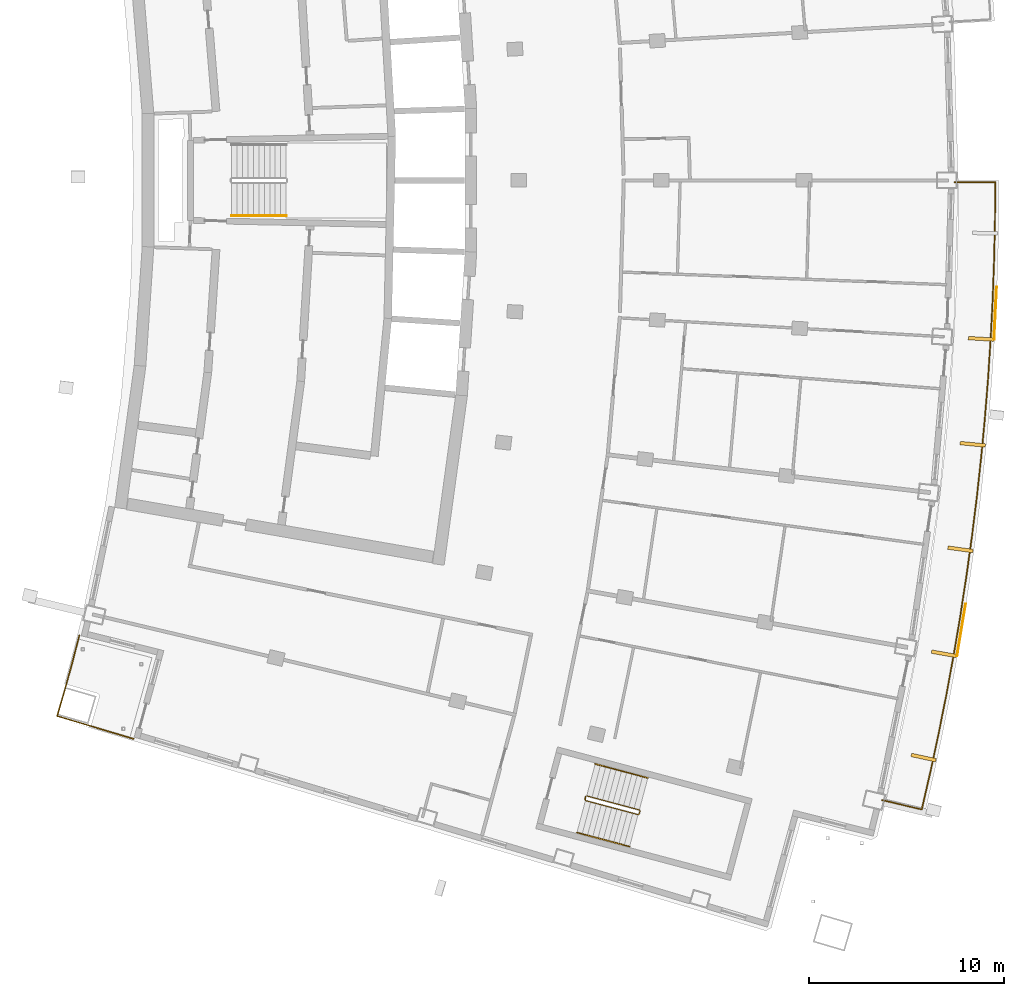
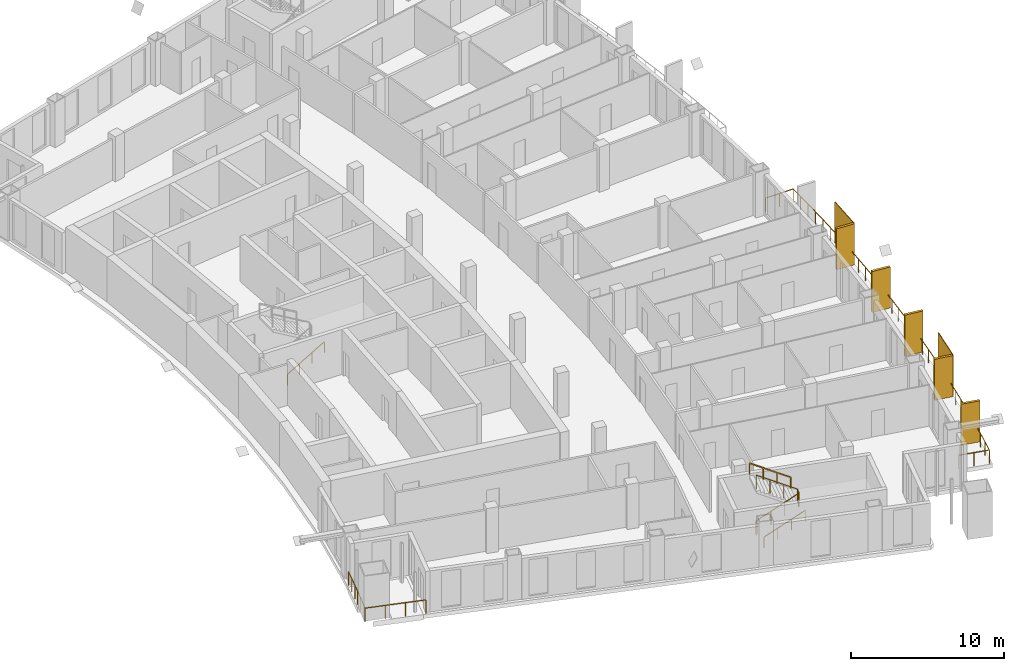
# One storey, part 16 of 17: 7 shading devices, 6 railings.
"""IFC4 building model written with IfcOpenShell, lengths in metres."""

from ifc_helpers import new_model, si_unit, direction, frame, origin, origin_with_axes, origin_2d, place, context, subcontext, project, spatial, rectangle, extrude, material, layer, layer_set, type_object, element, save


model = new_model("IFC4")

# Units and contexts
model_context = context("Model", 3, precision=1e-05, world=origin(), true_north=direction((0.0, 1.0)))
body_context = subcontext(model_context, "Body", "Model", "MODEL_VIEW")
ifc_project = project(units=[si_unit("LENGTHUNIT", "METRE"), si_unit("AREAUNIT", "SQUARE_METRE"), si_unit("VOLUMEUNIT", "CUBIC_METRE"), si_unit("PLANEANGLEUNIT", "RADIAN"), si_unit("MASSUNIT", "GRAM", prefix="KILO")], contexts=[model_context])

# Site, building, storey
site_placement = place(None, origin())
site = spatial("IfcSite", under=ifc_project, at=site_placement, CompositionType="ELEMENT")
building_placement = place(site_placement, origin())
building = spatial("IfcBuilding", under=site, at=building_placement, Name="Alderwake Tower", CompositionType="ELEMENT")
storey_placement = place(building_placement, frame((0.0, 0.0, 218.0)))
storey = spatial("IfcBuildingStorey", under=building, at=storey_placement, Name="L54", CompositionType="ELEMENT", Elevation=218.0)

# Railings
ifc_material_1 = material(Name="Stainless steel 316 rail and posts", Category="steel")
railing_type_1 = type_object("IfcRailingType", Name="Balcony guard 1100", PredefinedType="GUARDRAIL", material=ifc_material_1)
railing_1_placement = place(storey_placement, frame((54.477783203125, 29.14111328125, 0.0)))
element("IfcRailing", 1, at=railing_1_placement, inside=storey, type_object=railing_type_1, Name="Guard BF03", PredefinedType="GUARDRAIL", context=body_context, shape_type="SweptSolid", body=[
    extrude(rectangle(XDim=0.048095703125, YDim=0.048095703125, at=origin_2d()), frame((0.0, 0.0, 1.076171875), z_axis=(0.973057638874, -0.230561990427, 0.0), x_axis=(0.230561990427, 0.973057638874, 0.0)), (0.0, 0.0, 1.0), 2.099853515625),
    extrude(rectangle(XDim=0.048095703125, YDim=0.048095703125, at=origin_2d()), frame((2.043212890625, -0.484130859375, 1.076171875), z_axis=(0.22380572243, 0.97463377666, 0.0), x_axis=(-0.97463377666, 0.22380572243, 0.0)), (0.0, 0.0, 1.0), 1.946044921875),
    extrude(rectangle(XDim=0.048095703125, YDim=0.048095703125, at=origin_2d()), frame((2.478759765625, 1.41259765625, 1.076171875), z_axis=(0.209912112269, 0.977720259135, 0.0), x_axis=(-0.977720259135, 0.209912112269, 0.0)), (0.0, 0.0, 1.0), 2.0458984375),
    extrude(rectangle(XDim=0.048095703125, YDim=0.048095703125, at=origin_2d()), frame((2.908203125, 3.412841796875, 1.076171875), z_axis=(0.195565396752, 0.98069066254, 0.0), x_axis=(-0.98069066254, 0.195565396752, 0.0)), (0.0, 0.0, 1.0), 2.046142578125),
    extrude(rectangle(XDim=0.048095703125, YDim=0.048095703125, at=origin_2d()), frame((3.308349609375, 5.41943359375, 1.076171875), z_axis=(0.181268734219, 0.983433600196, 0.0), x_axis=(-0.983433600196, 0.181268734219, 0.0)), (0.0, 0.0, 1.0), 2.0458984375),
    extrude(rectangle(XDim=0.048095703125, YDim=0.048095703125, at=origin_2d()), frame((3.67919921875, 7.431396484375, 1.076171875), z_axis=(0.167049252433, 0.985948552036, 0.0), x_axis=(-0.985948552036, 0.167049252433, 0.0)), (0.0, 0.0, 1.0), 2.046142578125),
    extrude(rectangle(XDim=0.048095703125, YDim=0.048095703125, at=origin_2d()), frame((4.02099609375, 9.44873046875, 1.076171875), z_axis=(0.152487539839, 0.988305393183, 0.0), x_axis=(-0.988305393183, 0.152487539839, 0.0)), (0.0, 0.0, 1.0), 2.046142578125),
    extrude(rectangle(XDim=0.048095703125, YDim=0.048095703125, at=origin_2d()), frame((4.3330078125, 11.470947265625, 1.076171875), z_axis=(0.138062649027, 0.990423497774, 0.0), x_axis=(-0.990423497774, 0.138062649027, 0.0)), (0.0, 0.0, 1.0), 2.0458984375),
    extrude(rectangle(XDim=0.048095703125, YDim=0.048095703125, at=origin_2d()), frame((4.615478515625, 13.497314453125, 1.076171875), z_axis=(0.123623502309, 0.992329194208, 0.0), x_axis=(-0.992329194208, 0.123623502309, 0.0)), (0.0, 0.0, 1.0), 2.0458984375),
    extrude(rectangle(XDim=0.048095703125, YDim=0.048095703125, at=origin_2d()), frame((4.868408203125, 15.527587890625, 1.076171875), z_axis=(0.109174253205, 0.994022626723, 0.0), x_axis=(-0.994022626723, 0.109174253205, 0.0)), (0.0, 0.0, 1.0), 2.046142578125),
    extrude(rectangle(XDim=0.048095703125, YDim=0.048095703125, at=origin_2d()), frame((5.091796875, 17.5615234375, 1.076171875), z_axis=(0.094623268612, 0.995513152619, 0.0), x_axis=(-0.995513152619, 0.094623268612, 0.0)), (0.0, 0.0, 1.0), 2.046142578125),
    extrude(rectangle(XDim=0.048095703125, YDim=0.048095703125, at=origin_2d()), frame((5.285400390625, 19.598388671875, 1.076171875), z_axis=(0.080191048977, 0.996779512061, 0.0), x_axis=(-0.996779512061, 0.080191048977, 0.0)), (0.0, 0.0, 1.0), 2.0458984375),
    extrude(rectangle(XDim=0.048095703125, YDim=0.048095703125, at=origin_2d()), frame((5.449462890625, 21.6376953125, 1.076171875), z_axis=(0.065505305432, 0.997852221003, 0.0), x_axis=(-0.997852221003, 0.065505305432, 0.0)), (0.0, 0.0, 1.0), 2.046142578125),
    extrude(rectangle(XDim=0.048095703125, YDim=0.048095703125, at=origin_2d()), frame((5.58349609375, 23.679443359375, 1.076171875), z_axis=(0.051074369334, 0.998694852694, 0.0), x_axis=(-0.998694852694, 0.051074369334, 0.0)), (0.0, 0.0, 1.0), 2.0458984375),
    extrude(rectangle(XDim=0.048095703125, YDim=0.048095703125, at=origin_2d()), frame((5.68798828125, 25.72265625, 1.076171875), z_axis=(0.036393784558, 0.999337526787, 0.0), x_axis=(-0.999337526787, 0.036393784558, 0.0)), (0.0, 0.0, 1.0), 2.046142578125),
    extrude(rectangle(XDim=0.048095703125, YDim=0.048095703125, at=origin_2d()), frame((5.762451171875, 27.767333984375, 1.076171875), z_axis=(0.021954368204, 0.999758973812, 0.0), x_axis=(-0.999758973812, 0.021954368204, 0.0)), (0.0, 0.0, 1.0), 2.046142578125),
    extrude(rectangle(XDim=0.048095703125, YDim=0.048095703125, at=origin_2d()), frame((5.807373046875, 29.81298828125, 1.076171875), z_axis=(0.007653477216, 0.999970711714, 0.0), x_axis=(-0.999970711714, 0.007653477216, 0.0)), (0.0, 0.0, 1.0), 1.94580078125),
    extrude(rectangle(XDim=0.048095703125, YDim=0.048095703125, at=origin_2d()), frame((5.822265625, 31.7587890625, 1.076171875), z_axis=(-0.999999668894, 0.000813763971, 0.0), x_axis=(-0.000813763971, -0.999999668894, 0.0)), (0.0, 0.0, 1.0), 2.10009765625),
    extrude(rectangle(XDim=0.0419921875, YDim=0.0419921875, at=origin_2d()), frame((0.0, 0.0, 0.0), z_axis=(0.0, 0.0, 1.0), x_axis=(0.973057638874, -0.230561990427, 0.0)), (0.0, 0.0, 1.0), 1.052001953125),
    extrude(rectangle(XDim=0.0419921875, YDim=0.0419921875, at=origin_2d()), frame((1.021484375, -0.2421875, 0.0), z_axis=(0.0, 0.0, 1.0), x_axis=(0.973057638874, -0.230561990427, 0.0)), (0.0, 0.0, 1.0), 1.052001953125),
    extrude(rectangle(XDim=0.0419921875, YDim=0.0419921875, at=origin_2d()), frame((2.043212890625, -0.484130859375, 0.0), z_axis=(0.0, 0.0, 1.0), x_axis=(0.22380572243, 0.97463377666, 0.0)), (0.0, 0.0, 1.0), 1.052001953125),
    extrude(rectangle(XDim=0.0419921875, YDim=0.0419921875, at=origin_2d()), frame((2.260986328125, 0.46435546875, 0.0), z_axis=(0.0, 0.0, 1.0), x_axis=(0.22380572243, 0.97463377666, 0.0)), (0.0, 0.0, 1.0), 1.052001953125),
    extrude(rectangle(XDim=0.0419921875, YDim=0.0419921875, at=origin_2d()), frame((2.478759765625, 1.41259765625, 0.0), z_axis=(0.0, 0.0, 1.0), x_axis=(0.209912112269, 0.977720259135, 0.0)), (0.0, 0.0, 1.0), 1.052001953125),
    extrude(rectangle(XDim=0.0419921875, YDim=0.0419921875, at=origin_2d()), frame((2.693359375, 2.41259765625, 0.0), z_axis=(0.0, 0.0, 1.0), x_axis=(0.209912112269, 0.977720259135, 0.0)), (0.0, 0.0, 1.0), 1.052001953125),
    extrude(rectangle(XDim=0.0419921875, YDim=0.0419921875, at=origin_2d()), frame((2.908203125, 3.412841796875, 0.0), z_axis=(0.0, 0.0, 1.0), x_axis=(0.195565396752, 0.98069066254, 0.0)), (0.0, 0.0, 1.0), 1.052001953125),
    extrude(rectangle(XDim=0.0419921875, YDim=0.0419921875, at=origin_2d()), frame((3.1083984375, 4.416015625, 0.0), z_axis=(0.0, 0.0, 1.0), x_axis=(0.195565396752, 0.98069066254, 0.0)), (0.0, 0.0, 1.0), 1.052001953125),
    extrude(rectangle(XDim=0.0419921875, YDim=0.0419921875, at=origin_2d()), frame((3.308349609375, 5.41943359375, 0.0), z_axis=(0.0, 0.0, 1.0), x_axis=(0.181268734219, 0.983433600196, 0.0)), (0.0, 0.0, 1.0), 1.052001953125),
    extrude(rectangle(XDim=0.0419921875, YDim=0.0419921875, at=origin_2d()), frame((3.49365234375, 6.42529296875, 0.0), z_axis=(0.0, 0.0, 1.0), x_axis=(0.181268734219, 0.983433600196, 0.0)), (0.0, 0.0, 1.0), 1.052001953125),
    extrude(rectangle(XDim=0.0419921875, YDim=0.0419921875, at=origin_2d()), frame((3.67919921875, 7.431396484375, 0.0), z_axis=(0.0, 0.0, 1.0), x_axis=(0.167049252433, 0.985948552036, 0.0)), (0.0, 0.0, 1.0), 1.052001953125),
    extrude(rectangle(XDim=0.0419921875, YDim=0.0419921875, at=origin_2d()), frame((3.85009765625, 8.43994140625, 0.0), z_axis=(0.0, 0.0, 1.0), x_axis=(0.167049252433, 0.985948552036, 0.0)), (0.0, 0.0, 1.0), 1.052001953125),
    extrude(rectangle(XDim=0.0419921875, YDim=0.0419921875, at=origin_2d()), frame((4.02099609375, 9.44873046875, 0.0), z_axis=(0.0, 0.0, 1.0), x_axis=(0.152487539839, 0.988305393183, 0.0)), (0.0, 0.0, 1.0), 1.052001953125),
    extrude(rectangle(XDim=0.0419921875, YDim=0.0419921875, at=origin_2d()), frame((4.177001953125, 10.4599609375, 0.0), z_axis=(0.0, 0.0, 1.0), x_axis=(0.152487539839, 0.988305393183, 0.0)), (0.0, 0.0, 1.0), 1.052001953125),
    extrude(rectangle(XDim=0.0419921875, YDim=0.0419921875, at=origin_2d()), frame((4.3330078125, 11.470947265625, 0.0), z_axis=(0.0, 0.0, 1.0), x_axis=(0.138062649027, 0.990423497774, 0.0)), (0.0, 0.0, 1.0), 1.052001953125),
    extrude(rectangle(XDim=0.0419921875, YDim=0.0419921875, at=origin_2d()), frame((4.47412109375, 12.484130859375, 0.0), z_axis=(0.0, 0.0, 1.0), x_axis=(0.138062649027, 0.990423497774, 0.0)), (0.0, 0.0, 1.0), 1.052001953125),
    extrude(rectangle(XDim=0.0419921875, YDim=0.0419921875, at=origin_2d()), frame((4.615478515625, 13.497314453125, 0.0), z_axis=(0.0, 0.0, 1.0), x_axis=(0.123623502309, 0.992329194208, 0.0)), (0.0, 0.0, 1.0), 1.052001953125),
    extrude(rectangle(XDim=0.0419921875, YDim=0.0419921875, at=origin_2d()), frame((4.741943359375, 14.512451171875, 0.0), z_axis=(0.0, 0.0, 1.0), x_axis=(0.123623502309, 0.992329194208, 0.0)), (0.0, 0.0, 1.0), 1.052001953125),
    extrude(rectangle(XDim=0.0419921875, YDim=0.0419921875, at=origin_2d()), frame((4.868408203125, 15.527587890625, 0.0), z_axis=(0.0, 0.0, 1.0), x_axis=(0.109174253205, 0.994022626723, 0.0)), (0.0, 0.0, 1.0), 1.052001953125),
    extrude(rectangle(XDim=0.0419921875, YDim=0.0419921875, at=origin_2d()), frame((4.97998046875, 16.54443359375, 0.0), z_axis=(0.0, 0.0, 1.0), x_axis=(0.109174253205, 0.994022626723, 0.0)), (0.0, 0.0, 1.0), 1.052001953125),
    extrude(rectangle(XDim=0.0419921875, YDim=0.0419921875, at=origin_2d()), frame((5.091796875, 17.5615234375, 0.0), z_axis=(0.0, 0.0, 1.0), x_axis=(0.094623268612, 0.995513152619, 0.0)), (0.0, 0.0, 1.0), 1.052001953125),
    extrude(rectangle(XDim=0.0419921875, YDim=0.0419921875, at=origin_2d()), frame((5.1884765625, 18.580078125, 0.0), z_axis=(0.0, 0.0, 1.0), x_axis=(0.094623268612, 0.995513152619, 0.0)), (0.0, 0.0, 1.0), 1.052001953125),
    extrude(rectangle(XDim=0.0419921875, YDim=0.0419921875, at=origin_2d()), frame((5.285400390625, 19.598388671875, 0.0), z_axis=(0.0, 0.0, 1.0), x_axis=(0.080191048977, 0.996779512061, 0.0)), (0.0, 0.0, 1.0), 1.052001953125),
    extrude(rectangle(XDim=0.0419921875, YDim=0.0419921875, at=origin_2d()), frame((5.367431640625, 20.6181640625, 0.0), z_axis=(0.0, 0.0, 1.0), x_axis=(0.080191048977, 0.996779512061, 0.0)), (0.0, 0.0, 1.0), 1.052001953125),
    extrude(rectangle(XDim=0.0419921875, YDim=0.0419921875, at=origin_2d()), frame((5.449462890625, 21.6376953125, 0.0), z_axis=(0.0, 0.0, 1.0), x_axis=(0.065505305432, 0.997852221003, 0.0)), (0.0, 0.0, 1.0), 1.052001953125),
    extrude(rectangle(XDim=0.0419921875, YDim=0.0419921875, at=origin_2d()), frame((5.5166015625, 22.65869140625, 0.0), z_axis=(0.0, 0.0, 1.0), x_axis=(0.065505305432, 0.997852221003, 0.0)), (0.0, 0.0, 1.0), 1.052001953125),
    extrude(rectangle(XDim=0.0419921875, YDim=0.0419921875, at=origin_2d()), frame((5.58349609375, 23.679443359375, 0.0), z_axis=(0.0, 0.0, 1.0), x_axis=(0.051074369334, 0.998694852694, 0.0)), (0.0, 0.0, 1.0), 1.052001953125),
    extrude(rectangle(XDim=0.0419921875, YDim=0.0419921875, at=origin_2d()), frame((5.6357421875, 24.701171875, 0.0), z_axis=(0.0, 0.0, 1.0), x_axis=(0.051074369334, 0.998694852694, 0.0)), (0.0, 0.0, 1.0), 1.052001953125),
    extrude(rectangle(XDim=0.0419921875, YDim=0.0419921875, at=origin_2d()), frame((5.68798828125, 25.72265625, 0.0), z_axis=(0.0, 0.0, 1.0), x_axis=(0.036393784558, 0.999337526787, 0.0)), (0.0, 0.0, 1.0), 1.052001953125),
    extrude(rectangle(XDim=0.0419921875, YDim=0.0419921875, at=origin_2d()), frame((5.72509765625, 26.7451171875, 0.0), z_axis=(0.0, 0.0, 1.0), x_axis=(0.036393784558, 0.999337526787, 0.0)), (0.0, 0.0, 1.0), 1.052001953125),
    extrude(rectangle(XDim=0.0419921875, YDim=0.0419921875, at=origin_2d()), frame((5.762451171875, 27.767333984375, 0.0), z_axis=(0.0, 0.0, 1.0), x_axis=(0.021954368204, 0.999758973812, 0.0)), (0.0, 0.0, 1.0), 1.052001953125),
    extrude(rectangle(XDim=0.0419921875, YDim=0.0419921875, at=origin_2d()), frame((5.784912109375, 28.7900390625, 0.0), z_axis=(0.0, 0.0, 1.0), x_axis=(0.021954368204, 0.999758973812, 0.0)), (0.0, 0.0, 1.0), 1.052001953125),
    extrude(rectangle(XDim=0.0419921875, YDim=0.0419921875, at=origin_2d()), frame((5.807373046875, 29.81298828125, 0.0), z_axis=(0.0, 0.0, 1.0), x_axis=(0.007653477216, 0.999970711714, 0.0)), (0.0, 0.0, 1.0), 1.052001953125),
    extrude(rectangle(XDim=0.0419921875, YDim=0.0419921875, at=origin_2d()), frame((5.81494140625, 30.785888671875, 0.0), z_axis=(0.0, 0.0, 1.0), x_axis=(0.007653477216, 0.999970711714, 0.0)), (0.0, 0.0, 1.0), 1.052001953125),
    extrude(rectangle(XDim=0.0419921875, YDim=0.0419921875, at=origin_2d()), frame((5.822265625, 31.7587890625, 0.0), z_axis=(0.0, 0.0, 1.0), x_axis=(-0.999999668894, 0.000813763971, 0.0)), (0.0, 0.0, 1.0), 1.052001953125),
    extrude(rectangle(XDim=0.0419921875, YDim=0.0419921875, at=origin_2d()), frame((4.772216796875, 31.759765625, 0.0), z_axis=(0.0, 0.0, 1.0), x_axis=(-0.999999668894, 0.000813763971, 0.0)), (0.0, 0.0, 1.0), 1.052001953125),
    extrude(rectangle(XDim=0.0419921875, YDim=0.0419921875, at=origin_2d()), frame((3.72216796875, 31.760498046875, 0.0), z_axis=(0.0, 0.0, 1.0), x_axis=(-0.999999668894, 0.000813763971, 0.0)), (0.0, 0.0, 1.0), 1.052001953125),
])
railing_2_placement = place(storey_placement, frame((13.210693359375, 37.612548828125, 0.0)))
element("IfcRailing", 2, at=railing_2_placement, inside=storey, type_object=railing_type_1, Name="Guard terrace RS", PredefinedType="GUARDRAIL", context=body_context, shape_type="SweptSolid", body=[
    extrude(rectangle(XDim=0.048095703125, YDim=0.048095703125, at=origin_2d()), frame((0.0, 0.0, 1.076171875), z_axis=(-0.251385381433, -0.967887075026, 0.0), x_axis=(0.967887075026, -0.251385381433, 0.0)), (0.0, 0.0, 1.0), 1.6015625),
    extrude(rectangle(XDim=0.048095703125, YDim=0.048095703125, at=origin_2d()), frame((-0.402587890625, -1.550048828125, 1.076171875), z_axis=(-0.266520638672, -0.963829211615, 0.0), x_axis=(0.963829211615, -0.266520638672, 0.0)), (0.0, 0.0, 1.0), 1.401611328125),
    extrude(rectangle(XDim=0.048095703125, YDim=0.048095703125, at=origin_2d()), frame((-0.776123046875, -2.90087890625, 1.076171875), z_axis=(-0.280093650878, -0.959972680204, 0.0), x_axis=(0.959972680204, -0.280093650878, 0.0)), (0.0, 0.0, 1.0), 1.30126953125),
    extrude(rectangle(XDim=0.048095703125, YDim=0.048095703125, at=origin_2d()), frame((-1.140625, -4.150146484375, 1.076171875), z_axis=(0.958066871889, -0.286544706789, 0.0), x_axis=(0.286544706789, 0.958066871889, 0.0)), (0.0, 0.0, 1.0), 4.099853515625),
    extrude(rectangle(XDim=0.0419921875, YDim=0.0419921875, at=origin_2d()), frame((0.0, 0.0, 0.0), z_axis=(0.0, 0.0, 1.0), x_axis=(-0.251385381433, -0.967887075026, 0.0)), (0.0, 0.0, 1.0), 1.052001953125),
    extrude(rectangle(XDim=0.0419921875, YDim=0.0419921875, at=origin_2d()), frame((-0.201171875, -0.77490234375, 0.0), z_axis=(0.0, 0.0, 1.0), x_axis=(-0.251385381433, -0.967887075026, 0.0)), (0.0, 0.0, 1.0), 1.052001953125),
    extrude(rectangle(XDim=0.0419921875, YDim=0.0419921875, at=origin_2d()), frame((-0.402587890625, -1.550048828125, 0.0), z_axis=(0.0, 0.0, 1.0), x_axis=(-0.266520638672, -0.963829211615, 0.0)), (0.0, 0.0, 1.0), 1.052001953125),
    extrude(rectangle(XDim=0.0419921875, YDim=0.0419921875, at=origin_2d()), frame((-0.58935546875, -2.2255859375, 0.0), z_axis=(0.0, 0.0, 1.0), x_axis=(-0.266520638672, -0.963829211615, 0.0)), (0.0, 0.0, 1.0), 1.052001953125),
    extrude(rectangle(XDim=0.0419921875, YDim=0.0419921875, at=origin_2d()), frame((-0.776123046875, -2.90087890625, 0.0), z_axis=(0.0, 0.0, 1.0), x_axis=(-0.280093650878, -0.959972680204, 0.0)), (0.0, 0.0, 1.0), 1.052001953125),
    extrude(rectangle(XDim=0.0419921875, YDim=0.0419921875, at=origin_2d()), frame((-1.140625, -4.150146484375, 0.0), z_axis=(0.0, 0.0, 1.0), x_axis=(0.958066871889, -0.286544706789, 0.0)), (0.0, 0.0, 1.0), 1.052001953125),
    extrude(rectangle(XDim=0.0419921875, YDim=0.0419921875, at=origin_2d()), frame((0.168701171875, -4.541748046875, 0.0), z_axis=(0.0, 0.0, 1.0), x_axis=(0.958066871889, -0.286544706789, 0.0)), (0.0, 0.0, 1.0), 1.052001953125),
    extrude(rectangle(XDim=0.0419921875, YDim=0.0419921875, at=origin_2d()), frame((1.47802734375, -4.933349609375, 0.0), z_axis=(0.0, 0.0, 1.0), x_axis=(0.958066871889, -0.286544706789, 0.0)), (0.0, 0.0, 1.0), 1.052001953125),
    extrude(rectangle(XDim=0.0419921875, YDim=0.0419921875, at=origin_2d()), frame((2.787353515625, -5.324951171875, 0.0), z_axis=(0.0, 0.0, 1.0), x_axis=(0.958066871889, -0.286544706789, 0.0)), (0.0, 0.0, 1.0), 1.052001953125),
])

# Shading devices
ifc_material_2 = material(Name="Bronze anodised aluminium", Category="aluminium")
ifc_layer_1 = layer(ifc_material_2, 0.179931640625)
ifc_layer_set_1 = layer_set([ifc_layer_1], Name="Facade fin 1300")
shading_device_type_1 = type_object("IfcShadingDeviceType", Name="Facade fin 1300", PredefinedType="USERDEFINED", material=ifc_layer_set_1)
for number, where, z_axis, x_axis, name in (
    (3, (56.614013671875, 31.32421875, 0.0), (0.0, 0.0, 1.0), (0.977210363881, -0.212273184185, 0.0), "Fin"),
    (4, (57.664794921875, 36.65966796875, 0.0), (0.0, 0.0, 1.0), (0.984726421654, -0.174108800747, 0.0), "Fin"),
    (5, (58.507080078125, 42.031982421875, 0.0), (0.0, 0.0, 1.0), (0.990752577235, -0.135680988728, 0.0), "Fin"),
    (6, (59.14013671875, 47.432861328125, 0.0), (0.0, 0.0, 1.0), (0.995279882363, -0.097046152751, 0.0), "Fin"),
    (7, (59.5625, 52.854248046875, 0.0), (0.0, 0.0, 1.0), (0.998301080988, -0.058266214038, 0.0), "Fin"),
):
    element("IfcShadingDevice", number, at=place(storey_placement, frame(where, z_axis=z_axis, x_axis=x_axis)), inside=storey, type_object=shading_device_type_1, Name=name, ObjectType="FIN", PredefinedType="USERDEFINED", context=body_context, shape_type="SweptSolid", body=[
        extrude(rectangle(XDim=1.300048828125, YDim=0.179931640625, at=origin_2d()), origin(), (0.0, 0.0, 1.0), 3.280029296875),
    ])
ifc_material_3 = material(Name="Perforated bronze anodised aluminium", Category="aluminium")
ifc_layer_2 = layer(ifc_material_3, 0.050048828125)
ifc_layer_set_2 = layer_set([ifc_layer_2], Name="Perforated screen panel")
shading_device_type_2 = type_object("IfcShadingDeviceType", Name="Perforated screen panel", PredefinedType="USERDEFINED", material=ifc_layer_set_2)
for number, where, z_axis, x_axis, name in (
    (8, (58.5537109375, 37.88623046875, 0.0), (0.0, 0.0, 1.0), (0.986369013299, -0.164548380739, 0.0), "Screen panel"),
    (9, (60.302490234375, 54.17578125, 0.0), (0.0, 0.0, 1.0), (0.998819231138, -0.048581308217, 0.0), "Screen panel"),
):
    element("IfcShadingDevice", number, at=place(storey_placement, frame(where, z_axis=z_axis, x_axis=x_axis)), inside=storey, type_object=shading_device_type_2, Name=name, ObjectType="SCREEN", PredefinedType="USERDEFINED", context=body_context, shape_type="SweptSolid", body=[
        extrude(rectangle(XDim=0.050048828125, YDim=2.72509765625, at=origin_2d()), origin(), (0.0, 0.0, 1.0), 3.280029296875),
    ])

# Railings
ifc_material_4 = material(Name="Stainless steel guard", Category="steel")
railing_type_2 = type_object("IfcRailingType", Name="Stair guard 1100", PredefinedType="GUARDRAIL", material=ifc_material_4)
railing_3_placement = place(storey_placement, frame((39.1943359375, 29.17431640625, 0.0)))
element("IfcRailing", 10, at=railing_3_placement, inside=storey, type_object=railing_type_2, Name="L54 ST-C stair guard 1", PredefinedType="GUARDRAIL", context=body_context, shape_type="SweptSolid", body=[
    extrude(rectangle(XDim=0.048095703125, YDim=0.048095703125, at=origin_2d()), frame((0.0, 0.0, 1.076171875), z_axis=(0.257459803502, 0.966289009345, 0.0), x_axis=(-0.966289009345, 0.257459803502, 0.0)), (0.0, 0.0, 1.0), 0.14990234375),
    extrude(rectangle(XDim=0.048095703125, YDim=0.048095703125, at=origin_2d()), frame((0.03857421875, 0.144775390625, 1.076171875), z_axis=(-0.012062893862, -0.783160186125, 0.621702991355), x_axis=(0.999881397308, -0.015401016783, 0.0)), (0.0, 0.0, 1.0), 0.26318359375),
    extrude(rectangle(XDim=0.048095703125, YDim=0.048095703125, at=origin_2d()), frame((0.035400390625, -0.061279296875, 1.23974609375), z_axis=(0.834281824786, -0.222214197128, 0.504573768072), x_axis=(0.257380452725, 0.966310148221, 0.0)), (0.0, 0.0, 1.0), 3.2431640625),
    extrude(rectangle(XDim=0.048095703125, YDim=0.048095703125, at=origin_2d()), frame((2.7412109375, -0.781982421875, 2.8759765625), z_axis=(0.865031189262, 0.501718089772, 0.0), x_axis=(-0.501718089772, 0.865031189262, 0.0)), (0.0, 0.0, 1.0), 0.070556640625),
    extrude(rectangle(XDim=0.048095703125, YDim=0.048095703125, at=origin_2d()), frame((2.80224609375, -0.74658203125, 2.8759765625), z_axis=(0.257055032184, 0.966396766566, 0.0), x_axis=(-0.966396766566, 0.257055032184, 0.0)), (0.0, 0.0, 1.0), 0.150146484375),
    extrude(rectangle(XDim=0.048095703125, YDim=0.048095703125, at=origin_2d()), frame((2.8408203125, -0.6015625, 2.8759765625), z_axis=(-0.198625291617, 0.343827228937, 0.91778583023), x_axis=(-0.865898279276, -0.500220121494, 0.0)), (0.0, 0.0, 1.0), 0.17822265625),
    extrude(rectangle(XDim=0.048095703125, YDim=0.048095703125, at=origin_2d()), frame((2.805419921875, -0.540283203125, 3.03955078125), z_axis=(-0.834258940753, 0.22222815314, 0.504605457487), x_axis=(-0.257402139082, -0.966304371715, 0.0)), (0.0, 0.0, 1.0), 3.2431640625),
    extrude(rectangle(XDim=0.0419921875, YDim=0.0419921875, at=origin_2d()), frame((0.0, 0.0, 0.0), z_axis=(0.0, 0.0, 1.0), x_axis=(0.257459803502, 0.966289009345, 0.0)), (0.0, 0.0, 1.0), 1.052001953125),
    extrude(rectangle(XDim=0.0419921875, YDim=0.0419921875, at=origin_2d()), frame((0.03857421875, 0.144775390625, 0.0), z_axis=(0.0, 0.0, 1.0), x_axis=(-0.015401016783, -0.999881397308, 0.0)), (0.0, 0.0, 1.0), 1.052001953125),
    extrude(rectangle(XDim=0.0419921875, YDim=0.0419921875, at=origin_2d()), frame((0.035400390625, -0.061279296875, 0.16357421875), z_axis=(0.0, 0.0, 1.0), x_axis=(0.966310148221, -0.257380452725, 0.0)), (0.0, 0.0, 1.0), 1.052001953125),
    extrude(rectangle(XDim=0.0419921875, YDim=0.0419921875, at=origin_2d()), frame((0.937255859375, -0.301513671875, 0.708984375), z_axis=(0.0, 0.0, 1.0), x_axis=(0.966310148221, -0.257380452725, 0.0)), (0.0, 0.0, 1.0), 1.052001953125),
    extrude(rectangle(XDim=0.0419921875, YDim=0.0419921875, at=origin_2d()), frame((1.83935546875, -0.541748046875, 1.254638671875), z_axis=(0.0, 0.0, 1.0), x_axis=(0.966310148221, -0.257380452725, 0.0)), (0.0, 0.0, 1.0), 1.052001953125),
    extrude(rectangle(XDim=0.0419921875, YDim=0.0419921875, at=origin_2d()), frame((2.7412109375, -0.781982421875, 1.800048828125), z_axis=(0.0, 0.0, 1.0), x_axis=(0.865031189262, 0.501718089772, 0.0)), (0.0, 0.0, 1.0), 1.052001953125),
    extrude(rectangle(XDim=0.0419921875, YDim=0.0419921875, at=origin_2d()), frame((2.80224609375, -0.74658203125, 1.800048828125), z_axis=(0.0, 0.0, 1.0), x_axis=(0.257055032184, 0.966396766566, 0.0)), (0.0, 0.0, 1.0), 1.052001953125),
    extrude(rectangle(XDim=0.0419921875, YDim=0.0419921875, at=origin_2d()), frame((2.8408203125, -0.6015625, 1.800048828125), z_axis=(0.0, 0.0, 1.0), x_axis=(-0.500220121494, 0.865898279276, 0.0)), (0.0, 0.0, 1.0), 1.052001953125),
    extrude(rectangle(XDim=0.0419921875, YDim=0.0419921875, at=origin_2d()), frame((2.805419921875, -0.540283203125, 1.963623046875), z_axis=(0.0, 0.0, 1.0), x_axis=(-0.966304371715, 0.257402139082, 0.0)), (0.0, 0.0, 1.0), 1.052001953125),
    extrude(rectangle(XDim=0.0419921875, YDim=0.0419921875, at=origin_2d()), frame((1.903564453125, -0.300048828125, 2.509033203125), z_axis=(0.0, 0.0, 1.0), x_axis=(-0.966304371715, 0.257402139082, 0.0)), (0.0, 0.0, 1.0), 1.052001953125),
    extrude(rectangle(XDim=0.0419921875, YDim=0.0419921875, at=origin_2d()), frame((1.001708984375, -0.059814453125, 3.0546875), z_axis=(0.0, 0.0, 1.0), x_axis=(-0.966304371715, 0.257402139082, 0.0)), (0.0, 0.0, 1.0), 1.052001953125),
    extrude(rectangle(XDim=0.0419921875, YDim=0.0419921875, at=origin_2d()), frame((0.099853515625, 0.180419921875, 3.60009765625), z_axis=(0.0, 0.0, 1.0), x_axis=(-0.966304371715, 0.257402139082, 0.0)), (0.0, 0.0, 1.0), 1.052001953125),
])
ifc_material_5 = material(Name="Stainless steel handrail", Category="steel")
railing_type_3 = type_object("IfcRailingType", Name="Stair handrail 900", PredefinedType="HANDRAIL", material=ifc_material_5)
railing_4_placement = place(storey_placement, frame((21.0400390625, 59.175048828125, 0.16357421875)))
element("IfcRailing", 11, at=railing_4_placement, inside=storey, type_object=railing_type_3, Name="L54 ST-B stair handrail 1", PredefinedType="HANDRAIL", context=body_context, shape_type="SweptSolid", body=[
    extrude(rectangle(XDim=0.048095703125, YDim=0.048095703125, at=origin_2d()), frame((0.0, 0.0, 0.8759765625), z_axis=(0.863360870873, 0.0, 0.504586966384), x_axis=(0.0, 1.0, 0.0)), (0.0, 0.0, 1.0), 3.2431640625),
    extrude(rectangle(XDim=0.0419921875, YDim=0.0419921875, at=origin_2d()), origin_with_axes(), (0.0, 0.0, 1.0), 0.851806640625),
    extrude(rectangle(XDim=0.0419921875, YDim=0.0419921875, at=origin_2d()), frame((0.933349609375, 0.0, 0.54541015625), z_axis=(0.0, 0.0, 1.0), x_axis=(1.0, 0.0, 0.0)), (0.0, 0.0, 1.0), 0.851806640625),
    extrude(rectangle(XDim=0.0419921875, YDim=0.0419921875, at=origin_2d()), frame((1.86669921875, 0.0, 1.091064453125), z_axis=(0.0, 0.0, 1.0), x_axis=(1.0, 0.0, 0.0)), (0.0, 0.0, 1.0), 0.851806640625),
    extrude(rectangle(XDim=0.0419921875, YDim=0.0419921875, at=origin_2d()), frame((2.800048828125, 0.0, 1.636474609375), z_axis=(0.0, 0.0, 1.0), x_axis=(1.0, 0.0, 0.0)), (0.0, 0.0, 1.0), 0.851806640625),
])
railing_5_placement = place(storey_placement, frame((38.792236328125, 27.47021484375, 0.16357421875)))
element("IfcRailing", 12, at=railing_5_placement, inside=storey, type_object=railing_type_3, Name="L54 ST-C stair handrail 1", PredefinedType="HANDRAIL", context=body_context, shape_type="SweptSolid", body=[
    extrude(rectangle(XDim=0.048095703125, YDim=0.048095703125, at=origin_2d()), frame((0.0, 0.0, 0.8759765625), z_axis=(0.834272895437, -0.222156588561, 0.504613898043), x_axis=(0.25732071773, 0.966326056891, 0.0)), (0.0, 0.0, 1.0), 3.242919921875),
    extrude(rectangle(XDim=0.0419921875, YDim=0.0419921875, at=origin_2d()), frame((0.0, 0.0, 0.0), z_axis=(0.0, 0.0, 1.0), x_axis=(0.966326056891, -0.25732071773, 0.0)), (0.0, 0.0, 1.0), 0.851806640625),
    extrude(rectangle(XDim=0.0419921875, YDim=0.0419921875, at=origin_2d()), frame((0.90185546875, -0.240234375, 0.54541015625), z_axis=(0.0, 0.0, 1.0), x_axis=(0.966326056891, -0.25732071773, 0.0)), (0.0, 0.0, 1.0), 0.851806640625),
    extrude(rectangle(XDim=0.0419921875, YDim=0.0419921875, at=origin_2d()), frame((1.8037109375, -0.480224609375, 1.091064453125), z_axis=(0.0, 0.0, 1.0), x_axis=(0.966326056891, -0.25732071773, 0.0)), (0.0, 0.0, 1.0), 0.851806640625),
    extrude(rectangle(XDim=0.0419921875, YDim=0.0419921875, at=origin_2d()), frame((2.70556640625, -0.720458984375, 1.636474609375), z_axis=(0.0, 0.0, 1.0), x_axis=(0.966326056891, -0.25732071773, 0.0)), (0.0, 0.0, 1.0), 0.851806640625),
])
railing_6_placement = place(storey_placement, frame((42.437255859375, 30.276611328125, 1.963623046875)))
element("IfcRailing", 13, at=railing_6_placement, inside=storey, type_object=railing_type_3, Name="L54 ST-C stair handrail 2", PredefinedType="HANDRAIL", context=body_context, shape_type="SweptSolid", body=[
    extrude(rectangle(XDim=0.048095703125, YDim=0.048095703125, at=origin_2d()), frame((0.0, 0.0, 0.8759765625), z_axis=(-0.834258940753, 0.22222815314, 0.504605457487), x_axis=(-0.257402139082, -0.966304371715, 0.0)), (0.0, 0.0, 1.0), 3.2431640625),
    extrude(rectangle(XDim=0.0419921875, YDim=0.0419921875, at=origin_2d()), frame((0.0, 0.0, 0.0), z_axis=(0.0, 0.0, 1.0), x_axis=(-0.966304371715, 0.257402139082, 0.0)), (0.0, 0.0, 1.0), 0.851806640625),
    extrude(rectangle(XDim=0.0419921875, YDim=0.0419921875, at=origin_2d()), frame((-0.90185546875, 0.240234375, 0.54541015625), z_axis=(0.0, 0.0, 1.0), x_axis=(-0.966304371715, 0.257402139082, 0.0)), (0.0, 0.0, 1.0), 0.851806640625),
    extrude(rectangle(XDim=0.0419921875, YDim=0.0419921875, at=origin_2d()), frame((-1.8037109375, 0.48046875, 1.091064453125), z_axis=(0.0, 0.0, 1.0), x_axis=(-0.966304371715, 0.257402139082, 0.0)), (0.0, 0.0, 1.0), 0.851806640625),
    extrude(rectangle(XDim=0.0419921875, YDim=0.0419921875, at=origin_2d()), frame((-2.70556640625, 0.720703125, 1.636474609375), z_axis=(0.0, 0.0, 1.0), x_axis=(-0.966304371715, 0.257402139082, 0.0)), (0.0, 0.0, 1.0), 0.851806640625),
])

save(model, "model.ifc")
